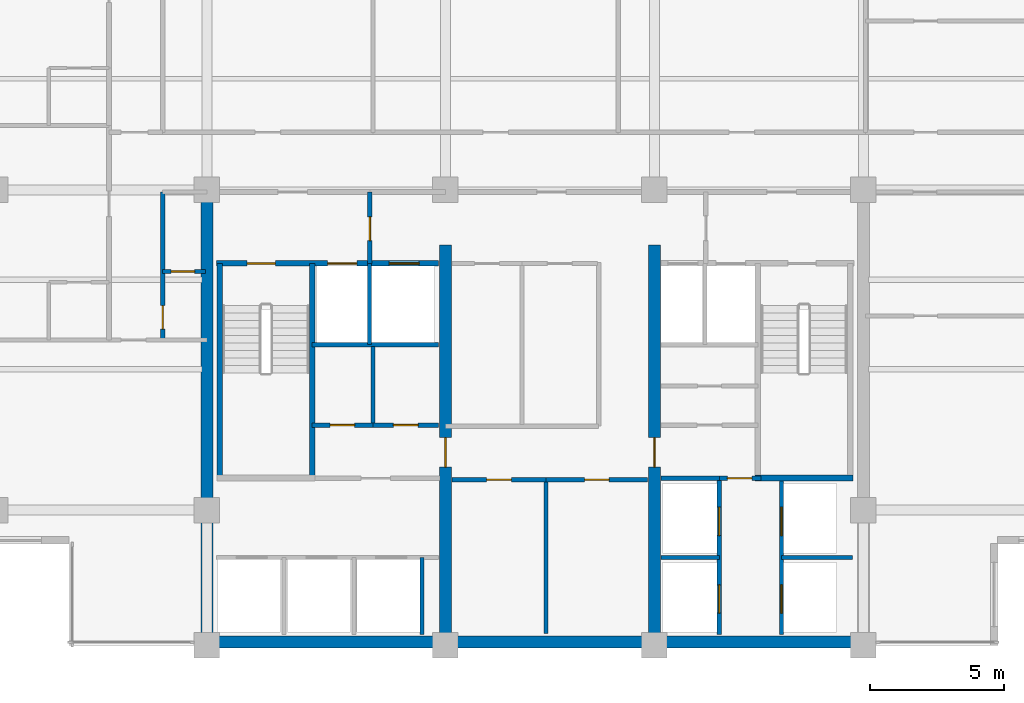
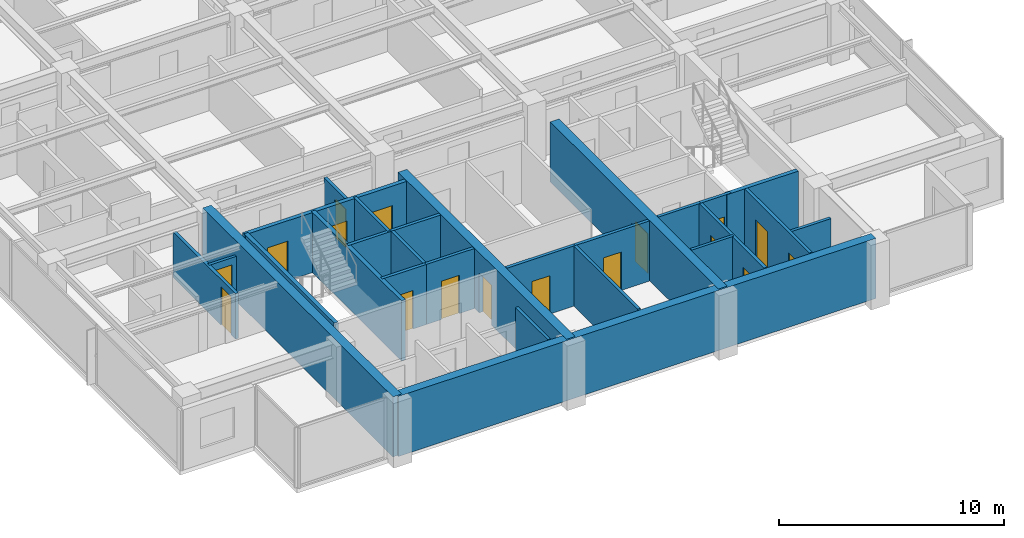
# One storey, part 7 of 15: 26 walls, 17 doors, 17 openings.
"""IFC4 building model written with IfcOpenShell, lengths in metres."""

from ifc_helpers import new_model, si_unit, direction, frame, frame_2d, origin, place, context, subcontext, project, spatial, rectangle, extrude, material, layer, layer_set, type_object, element, fill, save


model = new_model("IFC4")

# Units and contexts
model_context = context("Model", 3, precision=1e-05, world=origin(), true_north=direction((0.0, 1.0)))
body_context = subcontext(model_context, "Body", "Model", "MODEL_VIEW")
ifc_project = project(units=[si_unit("LENGTHUNIT", "METRE"), si_unit("AREAUNIT", "SQUARE_METRE"), si_unit("VOLUMEUNIT", "CUBIC_METRE"), si_unit("PLANEANGLEUNIT", "RADIAN"), si_unit("MASSUNIT", "GRAM", prefix="KILO")], contexts=[model_context])

# Site, building, storey
site_placement = place(None, origin())
site = spatial("IfcSite", under=ifc_project, at=site_placement, CompositionType="ELEMENT")
building_placement = place(site_placement, origin())
building = spatial("IfcBuilding", under=site, at=building_placement, Name="Qalmaran Belvedere Hotel", CompositionType="ELEMENT")
storey_placement = place(building_placement, frame((0.0, 0.0, 214.39990234375)))
storey = spatial("IfcBuildingStorey", under=building, at=storey_placement, Name="L54", CompositionType="ELEMENT", Elevation=214.39990234375)

# Wall
ifc_material_1 = material(Name="Concrete C50/60", Category="concrete")
ifc_layer_1 = layer(ifc_material_1, 0.449951171875, Name="Concrete C50/60")
ifc_layer_set_1 = layer_set([ifc_layer_1], Name="Concrete C50/60")
wall_type_1 = type_object("IfcWallType", Name="WL-CORE-450-C50", PredefinedType="SHEAR", material=ifc_layer_set_1)
wall_1_placement = place(storey_placement, frame((20.300048828125, 3.5, 0.0), z_axis=(0.0, 0.0, 1.0), x_axis=(0.0, 1.0, 0.0)))
element("IfcWall", 1, at=wall_1_placement, inside=storey, type_object=wall_type_1, Name="L54 West Core Shear Wall", PredefinedType="SHEAR", context=body_context, shape_type="SweptSolid", body=[
    extrude(rectangle(XDim=16.89990234375, YDim=0.449951171875, at=frame_2d((8.449951171875, 0.0))), origin(), (0.0, 0.0, 1.0), 3.260009765625),
])

# Wall, opening, door
wall_2_placement = place(storey_placement, frame((29.199951171875, 3.5, 0.0), z_axis=(0.0, 0.0, 1.0), x_axis=(0.0, 1.0, 0.0)))
wall_2 = element("IfcWall", 2, at=wall_2_placement, inside=storey, type_object=wall_type_1, Name="L54 Core West Spine Shear Wall", PredefinedType="SHEAR", context=body_context, shape_type="SweptSolid", body=[
    extrude(rectangle(XDim=14.949951171875, YDim=0.449951171875, at=frame_2d((7.47509765625, 0.0))), origin(), (0.0, 0.0, 1.0), 3.260009765625),
])
opening_1_placement = place(wall_2_placement, frame((7.75, 0.0, 0.0), z_axis=(0.0, 0.0, 1.0), x_axis=(-1.0, 0.0, 0.0)))
opening_1 = element("IfcOpeningElement", 3, at=opening_1_placement, cuts=wall_2, Name="Opening FD90", PredefinedType="OPENING", context=body_context, shape_type="SweptSolid", body=[
    extrude(rectangle(XDim=1.10009765625, YDim=2.14990234375, at=frame_2d((0.550048828125, 1.074951171875))), frame((0.0, 0.23486328125, 0.0), z_axis=(0.0, -1.0, 0.0), x_axis=(1.0, 0.0, 0.0)), (0.0, 0.0, 1.0), 0.469970703125),
])
ifc_material_2 = material(Name="Steel S355JR", Category="steel")
door_type_1 = type_object("IfcDoorType", Name="DR-FD90-1100X2150", OperationType="NOTDEFINED", PredefinedType="DOOR", material=ifc_material_2)
door_1_placement = place(opening_1_placement, origin())
door_1 = element("IfcDoor", 4, at=door_1_placement, inside=storey, type_object=door_type_1, Name="L54 Core West Cross-Lobby Door", OperationType="SINGLE_SWING_RIGHT", OverallHeight=2.14990234375, OverallWidth=1.10009765625, PredefinedType="DOOR", context=body_context, shape_type="SweptSolid", body=[
    extrude(rectangle(XDim=1.10009765625, YDim=2.14990234375, at=frame_2d((0.550048828125, 1.074951171875))), frame((0.0, 0.02490234375, 0.0), z_axis=(0.0, -1.0, 0.0), x_axis=(1.0, 0.0, 0.0)), (0.0, 0.0, 1.0), 0.050048828125),
])
fill(opening_1, door_1)

wall_3_placement = place(storey_placement, frame((37.0, 3.5, 0.0), z_axis=(0.0, 0.0, 1.0), x_axis=(0.0, 1.0, 0.0)))
wall_3 = element("IfcWall", 5, at=wall_3_placement, inside=storey, type_object=wall_type_1, Name="L54 Core East Spine Shear Wall", PredefinedType="SHEAR", context=body_context, shape_type="SweptSolid", body=[
    extrude(rectangle(XDim=14.949951171875, YDim=0.449951171875, at=frame_2d((7.47509765625, 0.0))), origin(), (0.0, 0.0, 1.0), 3.260009765625),
])
opening_2_placement = place(wall_3_placement, frame((6.64990234375, 0.0, 0.0)))
opening_2 = element("IfcOpeningElement", 6, at=opening_2_placement, cuts=wall_3, Name="Opening FD90", PredefinedType="OPENING", context=body_context, shape_type="SweptSolid", body=[
    extrude(rectangle(XDim=1.10009765625, YDim=2.14990234375, at=frame_2d((0.550048828125, 1.074951171875))), frame((0.0, 0.23486328125, 0.0), z_axis=(0.0, -1.0, 0.0), x_axis=(1.0, 0.0, 0.0)), (0.0, 0.0, 1.0), 0.469970703125),
])
door_2_placement = place(opening_2_placement, origin())
door_2 = element("IfcDoor", 7, at=door_2_placement, inside=storey, type_object=door_type_1, Name="L54 Core East Cross-Lobby Door", OperationType="SINGLE_SWING_LEFT", OverallHeight=2.14990234375, OverallWidth=1.10009765625, PredefinedType="DOOR", context=body_context, shape_type="SweptSolid", body=[
    extrude(rectangle(XDim=1.10009765625, YDim=2.14990234375, at=frame_2d((0.550048828125, 1.074951171875))), frame((0.0, 0.02490234375, 0.0), z_axis=(0.0, -1.0, 0.0), x_axis=(1.0, 0.0, 0.0)), (0.0, 0.0, 1.0), 0.050048828125),
])
fill(opening_2, door_2)

# Wall
ifc_layer_2 = layer(ifc_material_1, 0.43994140625, Name="Concrete C50/60")
ifc_layer_set_2 = layer_set([ifc_layer_2], Name="Concrete C50/60")
wall_type_2 = type_object("IfcWallType", Name="WL-CORES-440-EXT", PredefinedType="SHEAR", material=ifc_layer_set_2)
wall_4_placement = place(storey_placement, frame((20.300048828125, 3.6298828125, 0.0), z_axis=(0.0, 0.0, 1.0), x_axis=(1.0, 0.0, 0.0)))
element("IfcWall", 8, at=wall_4_placement, inside=storey, type_object=wall_type_2, Name="L54 South Core Shear Wall", PredefinedType="SHEAR", context=body_context, shape_type="SweptSolid", body=[
    extrude(rectangle(XDim=24.5, YDim=0.43994140625, at=frame_2d((12.25, 0.0))), origin(), (0.0, 0.0, 1.0), 3.260009765625),
])

# Wall, opening, door
ifc_material_3 = material(Name="Gypsum Stud Partition")
ifc_layer_3 = layer(ifc_material_3, 0.139892578125, Name="Gypsum Stud Partition")
ifc_layer_set_3 = layer_set([ifc_layer_3], Name="Gypsum Stud Partition")
wall_type_3 = type_object("IfcWallType", Name="WL-INT-140-NR", PredefinedType="PARTITIONING", material=ifc_layer_set_3)
wall_5_placement = place(storey_placement, frame((18.64990234375, 17.449951171875, 0.0), z_axis=(0.0, 0.0, 1.0), x_axis=(1.0, 0.0, 0.0)))
wall_5 = element("IfcWall", 9, at=wall_5_placement, inside=storey, type_object=wall_type_3, Name="L54 Partition WL-L54-WCLSUB", PredefinedType="PARTITIONING", context=body_context, shape_type="SweptSolid", body=[
    extrude(rectangle(XDim=1.60009765625, YDim=0.139892578125, at=frame_2d((0.800048828125, 0.0))), origin(), (0.0, 0.0, 1.0), 2.47216796875),
])
opening_3_placement = place(wall_5_placement, frame((1.193115234375, 0.0, 0.0), z_axis=(0.0, 0.0, 1.0), x_axis=(-1.0, 0.0, 0.0)))
opening_3 = element("IfcOpeningElement", 10, at=opening_3_placement, cuts=wall_5, Name="Opening D-BATH", PredefinedType="OPENING", context=body_context, shape_type="SweptSolid", body=[
    extrude(rectangle(XDim=0.8798828125, YDim=2.080078125, at=frame_2d((0.43994140625, 1.0400390625))), frame((0.0, 0.080078125, 0.0), z_axis=(0.0, -1.0, 0.0), x_axis=(1.0, 0.0, 0.0)), (0.0, 0.0, 1.0), 0.159912109375),
])
ifc_material_4 = material(Name="Engineered Oak Veneer")
door_type_2 = type_object("IfcDoorType", Name="DR-INT-BATH-880X2080", OperationType="NOTDEFINED", PredefinedType="DOOR", material=ifc_material_4)
door_3_placement = place(opening_3_placement, origin())
door_3 = element("IfcDoor", 11, at=door_3_placement, inside=storey, type_object=door_type_2, Name="L54 Closet Alcove Door", OperationType="SINGLE_SWING_LEFT", OverallHeight=2.080078125, OverallWidth=0.8798828125, PredefinedType="DOOR", context=body_context, shape_type="SweptSolid", body=[
    extrude(rectangle(XDim=0.8798828125, YDim=2.080078125, at=frame_2d((0.43994140625, 1.0400390625))), frame((0.0, 0.02490234375, 0.0), z_axis=(0.0, -1.0, 0.0), x_axis=(1.0, 0.0, 0.0)), (0.0, 0.0, 1.0), 0.050048828125),
])
fill(opening_3, door_3)

# Walls
ifc_layer_4 = layer(ifc_material_3, 0.14990234375, Name="Gypsum Stud Partition")
ifc_layer_set_4 = layer_set([ifc_layer_4], Name="Gypsum Stud Partition")
wall_type_4 = type_object("IfcWallType", Name="WL-INT-150-EI120", PredefinedType="PARTITIONING", material=ifc_layer_set_4)
wall_6_placement = place(storey_placement, frame((26.360107421875, 14.719970703125, 0.0), z_axis=(0.0, 0.0, 1.0), x_axis=(0.0, 1.0, 0.0)))
element("IfcWall", 12, at=wall_6_placement, inside=storey, type_object=wall_type_4, Name="L54 Partition WL-FF1M-L54", PredefinedType="PARTITIONING", context=body_context, shape_type="SweptSolid", body=[
    extrude(rectangle(XDim=3.0400390625, YDim=0.14990234375, at=frame_2d((1.52001953125, 0.0))), origin(), (0.0, 0.0, 1.0), 3.260009765625),
])
wall_7_placement = place(storey_placement, frame((28.320068359375, 3.89990234375, 0.0), z_axis=(0.0, 0.0, 1.0), x_axis=(0.0, 1.0, 0.0)))
element("IfcWall", 13, at=wall_7_placement, inside=storey, type_object=wall_type_4, Name="L54 Partition WL-POM3-L54", PredefinedType="PARTITIONING", context=body_context, shape_type="SweptSolid", body=[
    extrude(rectangle(XDim=2.880126953125, YDim=0.14990234375, at=frame_2d((1.43994140625, 0.0))), origin(), (0.0, 0.0, 1.0), 3.260009765625),
])
wall_8_placement = place(storey_placement, frame((37.25, 6.780029296875, 0.0), z_axis=(0.0, 0.0, 1.0), x_axis=(1.0, 0.0, 0.0)))
element("IfcWall", 14, at=wall_8_placement, inside=storey, type_object=wall_type_4, Name="L54 Partition WL-PHMW-L54", PredefinedType="PARTITIONING", context=body_context, shape_type="SweptSolid", body=[
    extrude(rectangle(XDim=2.169921875, YDim=0.14990234375, at=frame_2d((1.0849609375, 0.0))), origin(), (0.0, 0.0, 1.0), 3.260009765625),
])
wall_9_placement = place(storey_placement, frame((41.739990234375, 6.780029296875, 0.0), z_axis=(0.0, 0.0, 1.0), x_axis=(1.0, 0.0, 0.0)))
element("IfcWall", 15, at=wall_9_placement, inside=storey, type_object=wall_type_4, Name="L54 Partition WL-PHME-L54", PredefinedType="PARTITIONING", context=body_context, shape_type="SweptSolid", body=[
    extrude(rectangle(XDim=2.659912109375, YDim=0.14990234375, at=frame_2d((1.330078125, 0.0))), origin(), (0.0, 0.0, 1.0), 2.47216796875),
])
ifc_layer_5 = layer(ifc_material_3, 0.14990234375, Name="Gypsum Stud Partition")
ifc_layer_set_5 = layer_set([ifc_layer_5], Name="Gypsum Stud Partition")
wall_type_5 = type_object("IfcWallType", Name="WL-INT-150-EI60", PredefinedType="PARTITIONING", material=ifc_layer_set_5)
wall_10_placement = place(storey_placement, frame((26.490478515625, 11.719970703125, 0.0), z_axis=(0.0, 0.0, 1.0), x_axis=(0.0, 1.0, 0.0)))
element("IfcWall", 16, at=wall_10_placement, inside=storey, type_object=wall_type_5, Name="L54 Partition WL-L54-KWV1", PredefinedType="PARTITIONING", context=body_context, shape_type="SweptSolid", body=[
    extrude(rectangle(XDim=2.929931640625, YDim=0.14990234375, at=frame_2d((1.46484375, 0.0))), origin(), (0.0, 0.0, 1.0), 3.260009765625),
])
wall_11_placement = place(storey_placement, frame((32.9541015625, 3.949951171875, 0.0), z_axis=(0.0, 0.0, 1.0), x_axis=(0.0, 1.0, 0.0)))
element("IfcWall", 17, at=wall_11_placement, inside=storey, type_object=wall_type_5, Name="L54 Partition WL-L54-KPLV1", PredefinedType="PARTITIONING", context=body_context, shape_type="SweptSolid", body=[
    extrude(rectangle(XDim=5.72998046875, YDim=0.14990234375, at=frame_2d((2.864990234375, 0.0))), origin(), (0.0, 0.0, 1.0), 3.260009765625),
])

# Wall, opening, door
ifc_layer_6 = layer(ifc_material_3, 0.159912109375, Name="Gypsum Stud Partition")
ifc_layer_set_6 = layer_set([ifc_layer_6], Name="Gypsum Stud Partition")
wall_type_6 = type_object("IfcWallType", Name="WL-INT-160-EI120", PredefinedType="PARTITIONING", material=ifc_layer_set_6)
wall_12_placement = place(storey_placement, frame((26.3798828125, 17.760009765625, 0.0), z_axis=(0.0, 0.0, 1.0), x_axis=(0.0, 1.0, 0.0)))
wall_12 = element("IfcWall", 18, at=wall_12_placement, inside=storey, type_object=wall_type_6, Name="L54 Partition WL-FFSV1-L54", PredefinedType="PARTITIONING", context=body_context, shape_type="SweptSolid", body=[
    extrude(rectangle(XDim=2.659912109375, YDim=0.159912109375, at=frame_2d((1.330078125, 0.0))), origin(), (0.0, 0.0, 1.0), 2.7060546875),
])
opening_4_placement = place(wall_12_placement, frame((0.85009765625, 0.0, 0.0)))
opening_4 = element("IfcOpeningElement", 19, at=opening_4_placement, cuts=wall_12, Name="Opening FD60B", PredefinedType="OPENING", context=body_context, shape_type="SweptSolid", body=[
    extrude(rectangle(XDim=0.8798828125, YDim=2.080078125, at=frame_2d((0.43994140625, 1.0400390625))), frame((0.0, 0.08984375, 0.0), z_axis=(0.0, -1.0, 0.0), x_axis=(1.0, 0.0, 0.0)), (0.0, 0.0, 1.0), 0.179931640625),
])
door_type_3 = type_object("IfcDoorType", Name="DR-FD60B-880X2080", OperationType="NOTDEFINED", PredefinedType="DOOR", material=ifc_material_2)
door_4_placement = place(opening_4_placement, origin())
door_4 = element("IfcDoor", 20, at=door_4_placement, inside=storey, type_object=door_type_3, Name="L54 Service Lobby West Door", OperationType="SINGLE_SWING_RIGHT", OverallHeight=2.080078125, OverallWidth=0.8798828125, PredefinedType="DOOR", context=body_context, shape_type="SweptSolid", body=[
    extrude(rectangle(XDim=0.8798828125, YDim=2.080078125, at=frame_2d((0.43994140625, 1.0400390625))), frame((0.0, 0.02490234375, 0.0), z_axis=(0.0, -1.0, 0.0), x_axis=(1.0, 0.0, 0.0)), (0.0, 0.0, 1.0), 0.050048828125),
])
fill(opening_4, door_4)

# Wall
wall_13_placement = place(storey_placement, frame((24.219970703125, 14.719970703125, 0.0), z_axis=(0.0, 0.0, 1.0), x_axis=(1.0, 0.0, 0.0)))
element("IfcWall", 21, at=wall_13_placement, inside=storey, type_object=wall_type_6, Name="L54 Partition WL-FF1S-L54", PredefinedType="PARTITIONING", context=body_context, shape_type="SweptSolid", body=[
    extrude(rectangle(XDim=4.72998046875, YDim=0.159912109375, at=frame_2d((2.364990234375, 0.0))), origin(), (0.0, 0.0, 1.0), 3.260009765625),
])

# Wall, openings, doors
wall_14_placement = place(storey_placement, frame((39.419921875, 3.89990234375, 0.0), z_axis=(0.0, 0.0, 1.0), x_axis=(0.0, 1.0, 0.0)))
wall_14 = element("IfcWall", 22, at=wall_14_placement, inside=storey, type_object=wall_type_6, Name="L54 Partition WL-PHW-L54", PredefinedType="PARTITIONING", context=body_context, shape_type="SweptSolid", body=[
    extrude(rectangle(XDim=5.840087890625, YDim=0.159912109375, at=frame_2d((2.919921875, 0.0))), origin(), (0.0, 0.0, 1.0), 3.260009765625),
])
opening_5_placement = place(wall_14_placement, frame((1.860107421875, 0.0, 0.0), z_axis=(0.0, 0.0, 1.0), x_axis=(-1.0, 0.0, 0.0)))
opening_5 = element("IfcOpeningElement", 23, at=opening_5_placement, cuts=wall_14, Name="Opening LD-P2", PredefinedType="OPENING", context=body_context, shape_type="SweptSolid", body=[
    extrude(rectangle(XDim=1.06005859375, YDim=2.159912109375, at=frame_2d((0.530029296875, 1.080078125))), frame((0.0, 0.08984375, 0.0), z_axis=(0.0, -1.0, 0.0), x_axis=(1.0, 0.0, 0.0)), (0.0, 0.0, 1.0), 0.179931640625),
])
opening_6_placement = place(wall_14_placement, frame((4.760009765625, 0.0, 0.0), z_axis=(0.0, 0.0, 1.0), x_axis=(-1.0, 0.0, 0.0)))
opening_6 = element("IfcOpeningElement", 24, at=opening_6_placement, cuts=wall_14, Name="Opening LD-P2", PredefinedType="OPENING", context=body_context, shape_type="SweptSolid", body=[
    extrude(rectangle(XDim=1.06005859375, YDim=2.159912109375, at=frame_2d((0.530029296875, 1.080078125))), frame((0.0, 0.08984375, 0.0), z_axis=(0.0, -1.0, 0.0), x_axis=(1.0, 0.0, 0.0)), (0.0, 0.0, 1.0), 0.179931640625),
])
ifc_material_5 = material(Name="Stainless Steel 1.4401", Category="steel")
door_type_4 = type_object("IfcDoorType", Name="DR-LIFT-P2-1060X2160", OperationType="DOUBLE_DOOR_SLIDING", PredefinedType="DOOR", material=ifc_material_5)
door_5_placement = place(opening_5_placement, origin())
door_5 = element("IfcDoor", 25, at=door_5_placement, inside=storey, type_object=door_type_4, Name="L54 PH1 Lift Landing Door", OperationType="DOUBLE_DOOR_SLIDING", OverallHeight=2.159912109375, OverallWidth=1.06005859375, PredefinedType="DOOR", context=body_context, shape_type="SweptSolid", body=[
    extrude(rectangle(XDim=1.06005859375, YDim=2.159912109375, at=frame_2d((0.530029296875, 1.080078125))), frame((0.0, 0.02490234375, 0.0), z_axis=(0.0, -1.0, 0.0), x_axis=(1.0, 0.0, 0.0)), (0.0, 0.0, 1.0), 0.050048828125),
])
fill(opening_5, door_5)
door_6_placement = place(opening_6_placement, origin())
door_6 = element("IfcDoor", 26, at=door_6_placement, inside=storey, type_object=door_type_4, Name="L54 PH2 Lift Landing Door", OperationType="DOUBLE_DOOR_SLIDING", OverallHeight=2.159912109375, OverallWidth=1.06005859375, PredefinedType="DOOR", context=body_context, shape_type="SweptSolid", body=[
    extrude(rectangle(XDim=1.06005859375, YDim=2.159912109375, at=frame_2d((0.530029296875, 1.080078125))), frame((0.0, 0.02490234375, 0.0), z_axis=(0.0, -1.0, 0.0), x_axis=(1.0, 0.0, 0.0)), (0.0, 0.0, 1.0), 0.050048828125),
])
fill(opening_6, door_6)

wall_15_placement = place(storey_placement, frame((41.739990234375, 3.89990234375, 0.0), z_axis=(0.0, 0.0, 1.0), x_axis=(0.0, 1.0, 0.0)))
wall_15 = element("IfcWall", 27, at=wall_15_placement, inside=storey, type_object=wall_type_6, Name="L54 Partition WL-PHE-L54", PredefinedType="PARTITIONING", context=body_context, shape_type="SweptSolid", body=[
    extrude(rectangle(XDim=5.840087890625, YDim=0.159912109375, at=frame_2d((2.919921875, 0.0))), origin(), (0.0, 0.0, 1.0), 3.260009765625),
])
opening_7_placement = place(wall_15_placement, frame((0.800048828125, 0.0, 0.0)))
opening_7 = element("IfcOpeningElement", 28, at=opening_7_placement, cuts=wall_15, Name="Opening LD-P2", PredefinedType="OPENING", context=body_context, shape_type="SweptSolid", body=[
    extrude(rectangle(XDim=1.06005859375, YDim=2.159912109375, at=frame_2d((0.530029296875, 1.080078125))), frame((0.0, 0.08984375, 0.0), z_axis=(0.0, -1.0, 0.0), x_axis=(1.0, 0.0, 0.0)), (0.0, 0.0, 1.0), 0.179931640625),
])
opening_8_placement = place(wall_15_placement, frame((3.699951171875, 0.0, 0.0)))
opening_8 = element("IfcOpeningElement", 29, at=opening_8_placement, cuts=wall_15, Name="Opening LD-P2", PredefinedType="OPENING", context=body_context, shape_type="SweptSolid", body=[
    extrude(rectangle(XDim=1.06005859375, YDim=2.159912109375, at=frame_2d((0.530029296875, 1.080078125))), frame((0.0, 0.08984375, 0.0), z_axis=(0.0, -1.0, 0.0), x_axis=(1.0, 0.0, 0.0)), (0.0, 0.0, 1.0), 0.179931640625),
])
door_7_placement = place(opening_7_placement, origin())
door_7 = element("IfcDoor", 30, at=door_7_placement, inside=storey, type_object=door_type_4, Name="L54 PH3 Lift Landing Door", OperationType="DOUBLE_DOOR_SLIDING", OverallHeight=2.159912109375, OverallWidth=1.06005859375, PredefinedType="DOOR", context=body_context, shape_type="SweptSolid", body=[
    extrude(rectangle(XDim=1.06005859375, YDim=2.159912109375, at=frame_2d((0.530029296875, 1.080078125))), frame((0.0, 0.02490234375, 0.0), z_axis=(0.0, -1.0, 0.0), x_axis=(1.0, 0.0, 0.0)), (0.0, 0.0, 1.0), 0.050048828125),
])
fill(opening_7, door_7)
door_8_placement = place(opening_8_placement, origin())
door_8 = element("IfcDoor", 31, at=door_8_placement, inside=storey, type_object=door_type_4, Name="L54 PH4 Lift Landing Door", OperationType="DOUBLE_DOOR_SLIDING", OverallHeight=2.159912109375, OverallWidth=1.06005859375, PredefinedType="DOOR", context=body_context, shape_type="SweptSolid", body=[
    extrude(rectangle(XDim=1.06005859375, YDim=2.159912109375, at=frame_2d((0.530029296875, 1.080078125))), frame((0.0, 0.02490234375, 0.0), z_axis=(0.0, -1.0, 0.0), x_axis=(1.0, 0.0, 0.0)), (0.0, 0.0, 1.0), 0.050048828125),
])
fill(opening_8, door_8)

# Wall
wall_16_placement = place(storey_placement, frame((37.25, 9.739990234375, 0.0), z_axis=(0.0, 0.0, 1.0), x_axis=(1.0, 0.0, 0.0)))
element("IfcWall", 32, at=wall_16_placement, inside=storey, type_object=wall_type_6, Name="L54 Partition WL-PHNW-L54", PredefinedType="PARTITIONING", context=body_context, shape_type="SweptSolid", body=[
    extrude(rectangle(XDim=2.169921875, YDim=0.159912109375, at=frame_2d((1.0849609375, 0.0))), origin(), (0.0, 0.0, 1.0), 3.260009765625),
])

# Wall, opening, door
wall_17_placement = place(storey_placement, frame((39.419921875, 9.739990234375, 0.0), z_axis=(0.0, 0.0, 1.0), x_axis=(1.0, 0.0, 0.0)))
wall_17 = element("IfcWall", 33, at=wall_17_placement, inside=storey, type_object=wall_type_6, Name="L54 Partition WL-PHNL-L54", PredefinedType="PARTITIONING", context=body_context, shape_type="SweptSolid", body=[
    extrude(rectangle(XDim=1.56005859375, YDim=0.159912109375, at=frame_2d((0.780029296875, 0.0))), origin(), (0.0, 0.0, 1.0), 3.260009765625),
])
opening_9_placement = place(wall_17_placement, frame((0.300048828125, 0.0, 0.0)))
opening_9 = element("IfcOpeningElement", 34, at=opening_9_placement, cuts=wall_17, Name="Opening FD60S1", PredefinedType="OPENING", context=body_context, shape_type="SweptSolid", body=[
    extrude(rectangle(XDim=0.919921875, YDim=2.080078125, at=frame_2d((0.4599609375, 1.0400390625))), frame((0.0, 0.08984375, 0.0), z_axis=(0.0, -1.0, 0.0), x_axis=(1.0, 0.0, 0.0)), (0.0, 0.0, 1.0), 0.179931640625),
])
door_type_5 = type_object("IfcDoorType", Name="DR-FD60S-920X2080", OperationType="NOTDEFINED", PredefinedType="DOOR", material=ifc_material_4)
door_9_placement = place(opening_9_placement, origin())
door_9 = element("IfcDoor", 35, at=door_9_placement, inside=storey, type_object=door_type_5, Name="L54 High-Rise Lift Lobby Passage Door", OperationType="SINGLE_SWING_RIGHT", OverallHeight=2.080078125, OverallWidth=0.919921875, PredefinedType="DOOR", context=body_context, shape_type="SweptSolid", body=[
    extrude(rectangle(XDim=0.919921875, YDim=2.080078125, at=frame_2d((0.4599609375, 1.0400390625))), frame((0.0, 0.02490234375, 0.0), z_axis=(0.0, -1.0, 0.0), x_axis=(1.0, 0.0, 0.0)), (0.0, 0.0, 1.0), 0.050048828125),
])
fill(opening_9, door_9)

ifc_layer_7 = layer(ifc_material_3, 0.159912109375, Name="Gypsum Stud Partition")
ifc_layer_set_7 = layer_set([ifc_layer_7], Name="Gypsum Stud Partition")
wall_type_7 = type_object("IfcWallType", Name="WL-INT-160-EI60", PredefinedType="PARTITIONING", material=ifc_layer_set_7)
wall_18_placement = place(storey_placement, frame((24.219970703125, 11.719970703125, 0.0), z_axis=(0.0, 0.0, 1.0), x_axis=(1.0, 0.0, 0.0)))
wall_18 = element("IfcWall", 36, at=wall_18_placement, inside=storey, type_object=wall_type_7, Name="L54 Partition WL-L54-KWE1", PredefinedType="PARTITIONING", context=body_context, shape_type="SweptSolid", body=[
    extrude(rectangle(XDim=2.2705078125, YDim=0.159912109375, at=frame_2d((1.13525390625, 0.0))), origin(), (0.0, 0.0, 1.0), 3.260009765625),
])
opening_10_placement = place(wall_18_placement, frame((0.67529296875, 0.0, 0.0)))
opening_10 = element("IfcOpeningElement", 37, at=opening_10_placement, cuts=wall_18, Name="Opening FD60S1", PredefinedType="OPENING", context=body_context, shape_type="SweptSolid", body=[
    extrude(rectangle(XDim=0.919921875, YDim=2.080078125, at=frame_2d((0.4599609375, 1.0400390625))), frame((0.0, 0.08984375, 0.0), z_axis=(0.0, -1.0, 0.0), x_axis=(1.0, 0.0, 0.0)), (0.0, 0.0, 1.0), 0.179931640625),
])
door_10_placement = place(opening_10_placement, origin())
door_10 = element("IfcDoor", 38, at=door_10_placement, inside=storey, type_object=door_type_5, Name="L54 Telecom and IT Room Door", OperationType="SINGLE_SWING_LEFT", OverallHeight=2.080078125, OverallWidth=0.919921875, PredefinedType="DOOR", context=body_context, shape_type="SweptSolid", body=[
    extrude(rectangle(XDim=0.919921875, YDim=2.080078125, at=frame_2d((0.4599609375, 1.0400390625))), frame((0.0, 0.02490234375, 0.0), z_axis=(0.0, -1.0, 0.0), x_axis=(1.0, 0.0, 0.0)), (0.0, 0.0, 1.0), 0.050048828125),
])
fill(opening_10, door_10)

wall_19_placement = place(storey_placement, frame((26.490478515625, 11.719970703125, 0.0), z_axis=(0.0, 0.0, 1.0), x_axis=(1.0, 0.0, 0.0)))
wall_19 = element("IfcWall", 39, at=wall_19_placement, inside=storey, type_object=wall_type_7, Name="L54 Partition WL-L54-KWE2", PredefinedType="PARTITIONING", context=body_context, shape_type="SweptSolid", body=[
    extrude(rectangle(XDim=2.45947265625, YDim=0.159912109375, at=frame_2d((1.229736328125, 0.0))), origin(), (0.0, 0.0, 1.0), 3.260009765625),
])
opening_11_placement = place(wall_19_placement, frame((0.769775390625, 0.0, 0.0)))
opening_11 = element("IfcOpeningElement", 40, at=opening_11_placement, cuts=wall_19, Name="Opening FD60S1", PredefinedType="OPENING", context=body_context, shape_type="SweptSolid", body=[
    extrude(rectangle(XDim=0.919921875, YDim=2.080078125, at=frame_2d((0.4599609375, 1.0400390625))), frame((0.0, 0.08984375, 0.0), z_axis=(0.0, -1.0, 0.0), x_axis=(1.0, 0.0, 0.0)), (0.0, 0.0, 1.0), 0.179931640625),
])
door_11_placement = place(opening_11_placement, origin())
door_11 = element("IfcDoor", 41, at=door_11_placement, inside=storey, type_object=door_type_5, Name="L54 Cleaner Supply Store Door", OperationType="SINGLE_SWING_RIGHT", OverallHeight=2.080078125, OverallWidth=0.919921875, PredefinedType="DOOR", context=body_context, shape_type="SweptSolid", body=[
    extrude(rectangle(XDim=0.919921875, YDim=2.080078125, at=frame_2d((0.4599609375, 1.0400390625))), frame((0.0, 0.02490234375, 0.0), z_axis=(0.0, -1.0, 0.0), x_axis=(1.0, 0.0, 0.0)), (0.0, 0.0, 1.0), 0.050048828125),
])
fill(opening_11, door_11)

wall_20_placement = place(storey_placement, frame((29.449951171875, 9.679931640625, 0.0), z_axis=(0.0, 0.0, 1.0), x_axis=(1.0, 0.0, 0.0)))
wall_20 = element("IfcWall", 42, at=wall_20_placement, inside=storey, type_object=wall_type_7, Name="L54 Partition WL-L54-KPLE1", PredefinedType="PARTITIONING", context=body_context, shape_type="SweptSolid", body=[
    extrude(rectangle(XDim=3.504150390625, YDim=0.159912109375, at=frame_2d((1.751953125, 0.0))), origin(), (0.0, 0.0, 1.0), 3.260009765625),
])
opening_12_placement = place(wall_20_placement, frame((2.2119140625, 0.0, 0.0), z_axis=(0.0, 0.0, 1.0), x_axis=(-1.0, 0.0, 0.0)))
opening_12 = element("IfcOpeningElement", 43, at=opening_12_placement, cuts=wall_20, Name="Opening FD60S1", PredefinedType="OPENING", context=body_context, shape_type="SweptSolid", body=[
    extrude(rectangle(XDim=0.919921875, YDim=2.080078125, at=frame_2d((0.4599609375, 1.0400390625))), frame((0.0, 0.08984375, 0.0), z_axis=(0.0, -1.0, 0.0), x_axis=(1.0, 0.0, 0.0)), (0.0, 0.0, 1.0), 0.179931640625),
])
door_12_placement = place(opening_12_placement, origin())
door_12 = element("IfcDoor", 44, at=door_12_placement, inside=storey, type_object=door_type_5, Name="L54 Hotel Butler Service Pantry Door", OperationType="SINGLE_SWING_LEFT", OverallHeight=2.080078125, OverallWidth=0.919921875, PredefinedType="DOOR", context=body_context, shape_type="SweptSolid", body=[
    extrude(rectangle(XDim=0.919921875, YDim=2.080078125, at=frame_2d((0.4599609375, 1.0400390625))), frame((0.0, 0.02490234375, 0.0), z_axis=(0.0, -1.0, 0.0), x_axis=(1.0, 0.0, 0.0)), (0.0, 0.0, 1.0), 0.050048828125),
])
fill(opening_12, door_12)

wall_21_placement = place(storey_placement, frame((32.9541015625, 9.679931640625, 0.0), z_axis=(0.0, 0.0, 1.0), x_axis=(1.0, 0.0, 0.0)))
wall_21 = element("IfcWall", 45, at=wall_21_placement, inside=storey, type_object=wall_type_7, Name="L54 Partition WL-L54-KPLE2", PredefinedType="PARTITIONING", context=body_context, shape_type="SweptSolid", body=[
    extrude(rectangle(XDim=3.7958984375, YDim=0.159912109375, at=frame_2d((1.89794921875, 0.0))), origin(), (0.0, 0.0, 1.0), 3.260009765625),
])
opening_13_placement = place(wall_21_placement, frame((2.35791015625, 0.0, 0.0), z_axis=(0.0, 0.0, 1.0), x_axis=(-1.0, 0.0, 0.0)))
opening_13 = element("IfcOpeningElement", 46, at=opening_13_placement, cuts=wall_21, Name="Opening FD60S1", PredefinedType="OPENING", context=body_context, shape_type="SweptSolid", body=[
    extrude(rectangle(XDim=0.919921875, YDim=2.080078125, at=frame_2d((0.4599609375, 1.0400390625))), frame((0.0, 0.08984375, 0.0), z_axis=(0.0, -1.0, 0.0), x_axis=(1.0, 0.0, 0.0)), (0.0, 0.0, 1.0), 0.179931640625),
])
door_13_placement = place(opening_13_placement, origin())
door_13 = element("IfcDoor", 47, at=door_13_placement, inside=storey, type_object=door_type_5, Name="L54 Guest Valet Supply Store Door", OperationType="SINGLE_SWING_RIGHT", OverallHeight=2.080078125, OverallWidth=0.919921875, PredefinedType="DOOR", context=body_context, shape_type="SweptSolid", body=[
    extrude(rectangle(XDim=0.919921875, YDim=2.080078125, at=frame_2d((0.4599609375, 1.0400390625))), frame((0.0, 0.02490234375, 0.0), z_axis=(0.0, -1.0, 0.0), x_axis=(1.0, 0.0, 0.0)), (0.0, 0.0, 1.0), 0.050048828125),
])
fill(opening_13, door_13)

wall_22_placement = place(storey_placement, frame((18.64990234375, 14.89990234375, 0.0), z_axis=(0.0, 0.0, 1.0), x_axis=(0.0, 1.0, 0.0)))
wall_22 = element("IfcWall", 48, at=wall_22_placement, inside=storey, type_object=wall_type_7, Name="L54 Partition WL-L54-WCL", PredefinedType="PARTITIONING", context=body_context, shape_type="SweptSolid", body=[
    extrude(rectangle(XDim=5.52001953125, YDim=0.159912109375, at=frame_2d((2.760009765625, 0.0))), origin(), (0.0, 0.0, 1.0), 2.47216796875),
])
opening_14_placement = place(wall_22_placement, frame((1.27978515625, 0.0, 0.0), z_axis=(0.0, 0.0, 1.0), x_axis=(-1.0, 0.0, 0.0)))
opening_14 = element("IfcOpeningElement", 49, at=opening_14_placement, cuts=wall_22, Name="Opening FD60B", PredefinedType="OPENING", context=body_context, shape_type="SweptSolid", body=[
    extrude(rectangle(XDim=0.8798828125, YDim=2.080078125, at=frame_2d((0.43994140625, 1.0400390625))), frame((0.0, 0.08984375, 0.0), z_axis=(0.0, -1.0, 0.0), x_axis=(1.0, 0.0, 0.0)), (0.0, 0.0, 1.0), 0.179931640625),
])
door_14_placement = place(opening_14_placement, origin())
door_14 = element("IfcDoor", 50, at=door_14_placement, inside=storey, type_object=door_type_3, Name="L54 West Closet Door", OperationType="SINGLE_SWING_RIGHT", OverallHeight=2.080078125, OverallWidth=0.8798828125, PredefinedType="DOOR", context=body_context, shape_type="SweptSolid", body=[
    extrude(rectangle(XDim=0.8798828125, YDim=2.080078125, at=frame_2d((0.43994140625, 1.0400390625))), frame((0.0, 0.02490234375, 0.0), z_axis=(0.0, -1.0, 0.0), x_axis=(1.0, 0.0, 0.0)), (0.0, 0.0, 1.0), 0.050048828125),
])
fill(opening_14, door_14)

# Walls
ifc_layer_8 = layer(ifc_material_1, 0.2099609375, Name="Concrete C50/60")
ifc_layer_set_8 = layer_set([ifc_layer_8], Name="Concrete C50/60")
wall_type_8 = type_object("IfcWallType", Name="WL-STAIR-210-C50", PredefinedType="SHEAR", material=ifc_layer_set_8)
for number, where, z_axis, x_axis, name in (
    (51, (20.77490234375, 9.7451171875, 0.0), (0.0, 0.0, 1.0), (0.0, 1.0, 0.0), "L54 Stair ST-1 West Bearing Wall"),
    (52, (24.22509765625, 9.7451171875, 0.0), (0.0, 0.0, 1.0), (0.0, 1.0, 0.0), "L54 Stair ST-1 East Bearing Wall"),
):
    element("IfcWall", number, at=place(storey_placement, frame(where, z_axis=z_axis, x_axis=x_axis)), inside=storey, type_object=wall_type_8, Name=name, PredefinedType="SHEAR", context=body_context, shape_type="SweptSolid", body=[
        extrude(rectangle(XDim=8.009765625, YDim=0.2099609375, at=frame_2d((4.0048828125, 0.0))), origin(), (0.0, 0.0, 1.0), 3.260009765625),
    ])

# Wall, openings, doors
wall_23_placement = place(storey_placement, frame((20.64990234375, 17.7548828125, 0.0), z_axis=(0.0, 0.0, 1.0), x_axis=(1.0, 0.0, 0.0)))
wall_23 = element("IfcWall", 53, at=wall_23_placement, inside=storey, type_object=wall_type_8, Name="L54 West Lobby and Stair ST-1 North Bearing Wall", PredefinedType="SHEAR", context=body_context, shape_type="SweptSolid", body=[
    extrude(rectangle(XDim=8.300048828125, YDim=0.2099609375, at=frame_2d((4.14990234375, 0.0))), origin(), (0.0, 0.0, 1.0), 3.260009765625),
])
opening_15_placement = place(wall_23_placement, frame((2.199951171875, 0.0, 0.0), z_axis=(0.0, 0.0, 1.0), x_axis=(-1.0, 0.0, 0.0)))
opening_15 = element("IfcOpeningElement", 54, at=opening_15_placement, cuts=wall_23, Name="Opening FD90S2", PredefinedType="OPENING", context=body_context, shape_type="SweptSolid", body=[
    extrude(rectangle(XDim=1.050048828125, YDim=2.14990234375, at=frame_2d((0.52490234375, 1.074951171875))), frame((0.0, 0.114990234375, 0.0), z_axis=(0.0, -1.0, 0.0), x_axis=(1.0, 0.0, 0.0)), (0.0, 0.0, 1.0), 0.22998046875),
])
opening_16_placement = place(wall_23_placement, frame((4.14990234375, 0.0, 0.0)))
opening_16 = element("IfcOpeningElement", 55, at=opening_16_placement, cuts=wall_23, Name="Opening LD-FF", PredefinedType="OPENING", context=body_context, shape_type="SweptSolid", body=[
    extrude(rectangle(XDim=1.10009765625, YDim=2.179931640625, at=frame_2d((0.550048828125, 1.08984375))), frame((0.0, 0.114990234375, 0.0), z_axis=(0.0, -1.0, 0.0), x_axis=(1.0, 0.0, 0.0)), (0.0, 0.0, 1.0), 0.22998046875),
])
opening_17_placement = place(wall_23_placement, frame((6.449951171875, 0.0, 0.0)))
opening_17 = element("IfcOpeningElement", 56, at=opening_17_placement, cuts=wall_23, Name="Opening LD-SV", PredefinedType="OPENING", context=body_context, shape_type="SweptSolid", body=[
    extrude(rectangle(XDim=1.1201171875, YDim=2.199951171875, at=frame_2d((0.56005859375, 1.10009765625))), frame((0.0, 0.114990234375, 0.0), z_axis=(0.0, -1.0, 0.0), x_axis=(1.0, 0.0, 0.0)), (0.0, 0.0, 1.0), 0.22998046875),
])
door_type_6 = type_object("IfcDoorType", Name="DR-FD90S-1050X2150", OperationType="NOTDEFINED", PredefinedType="DOOR", material=ifc_material_2)
door_15_placement = place(opening_15_placement, origin())
door_15 = element("IfcDoor", 57, at=door_15_placement, inside=storey, type_object=door_type_6, Name="L54 Stair ST-1 Door", OperationType="SINGLE_SWING_RIGHT", OverallHeight=2.14990234375, OverallWidth=1.050048828125, PredefinedType="DOOR", context=body_context, shape_type="SweptSolid", body=[
    extrude(rectangle(XDim=1.050048828125, YDim=2.14990234375, at=frame_2d((0.52490234375, 1.074951171875))), frame((0.0, 0.02490234375, 0.0), z_axis=(0.0, -1.0, 0.0), x_axis=(1.0, 0.0, 0.0)), (0.0, 0.0, 1.0), 0.050048828125),
])
fill(opening_15, door_15)
door_type_7 = type_object("IfcDoorType", Name="DR-LIFT-FF-1100X2180", OperationType="DOUBLE_DOOR_SLIDING", PredefinedType="DOOR", material=ifc_material_5)
door_16_placement = place(opening_16_placement, origin())
door_16 = element("IfcDoor", 58, at=door_16_placement, inside=storey, type_object=door_type_7, Name="L54 FF1 Lift Landing Door", OperationType="DOUBLE_DOOR_SLIDING", OverallHeight=2.179931640625, OverallWidth=1.10009765625, PredefinedType="DOOR", context=body_context, shape_type="SweptSolid", body=[
    extrude(rectangle(XDim=1.10009765625, YDim=2.179931640625, at=frame_2d((0.550048828125, 1.08984375))), frame((0.0, 0.02490234375, 0.0), z_axis=(0.0, -1.0, 0.0), x_axis=(1.0, 0.0, 0.0)), (0.0, 0.0, 1.0), 0.050048828125),
])
fill(opening_16, door_16)
door_type_8 = type_object("IfcDoorType", Name="DR-LIFT-SV-1120X2200", OperationType="DOUBLE_DOOR_SLIDING", PredefinedType="DOOR", material=ifc_material_5)
door_17_placement = place(opening_17_placement, origin())
door_17 = element("IfcDoor", 59, at=door_17_placement, inside=storey, type_object=door_type_8, Name="L54 SV1 Lift Landing Door", OperationType="DOUBLE_DOOR_SLIDING", OverallHeight=2.199951171875, OverallWidth=1.1201171875, PredefinedType="DOOR", context=body_context, shape_type="SweptSolid", body=[
    extrude(rectangle(XDim=1.1201171875, YDim=2.199951171875, at=frame_2d((0.56005859375, 1.10009765625))), frame((0.0, 0.02490234375, 0.0), z_axis=(0.0, -1.0, 0.0), x_axis=(1.0, 0.0, 0.0)), (0.0, 0.0, 1.0), 0.050048828125),
])
fill(opening_17, door_17)

# Wall
wall_24_placement = place(storey_placement, frame((40.75, 9.7451171875, 0.0), z_axis=(0.0, 0.0, 1.0), x_axis=(1.0, 0.0, 0.0)))
element("IfcWall", 60, at=wall_24_placement, inside=storey, type_object=wall_type_8, Name="L54 Stair ST-2 South Bearing Wall", PredefinedType="SHEAR", context=body_context, shape_type="SweptSolid", body=[
    extrude(rectangle(XDim=3.659912109375, YDim=0.2099609375, at=frame_2d((1.830078125, 0.0))), origin(), (0.0, 0.0, 1.0), 3.260009765625),
])

save(model, "model.ifc")
